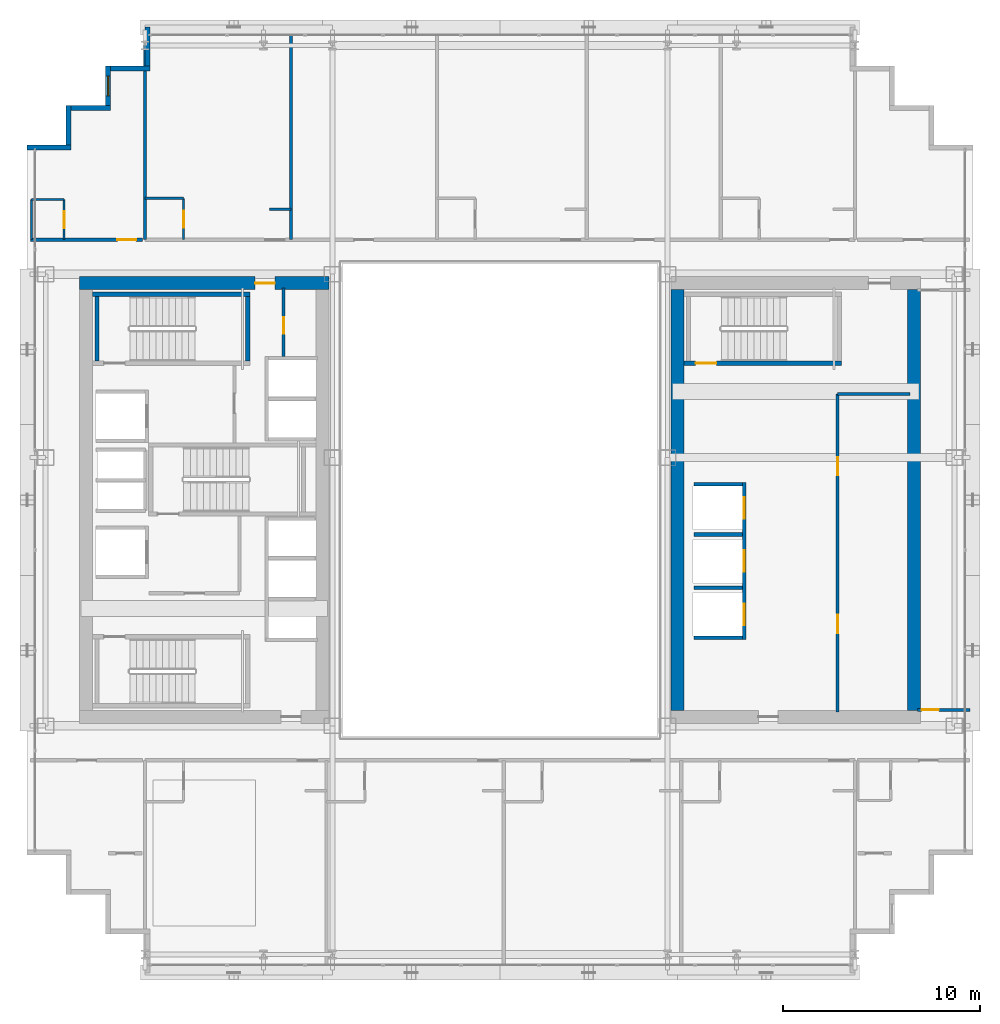
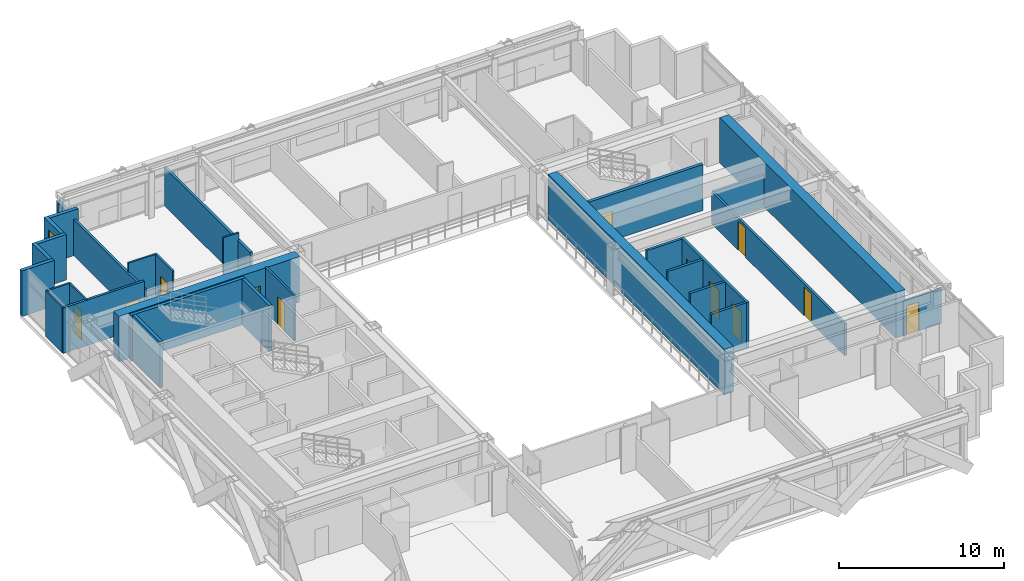
# One storey, part 29 of 34: 31 walls, 12 doors, 1 window, 13 openings.
"""IFC4 building model written with IfcOpenShell, lengths in metres."""

from ifc_helpers import new_model, si_unit, direction, frame, frame_2d, origin, place, context, subcontext, project, spatial, rectangle, extrude, source, transform, mapped, material, layer, layer_set, type_object, element, fill, save


model = new_model("IFC4")

# Units and contexts
model_context = context("Model", 3, precision=1e-05, world=origin(), true_north=direction((0.0, 1.0)))
body_context = subcontext(model_context, "Body", "Model", "MODEL_VIEW")
ifc_project = project(units=[si_unit("LENGTHUNIT", "METRE"), si_unit("AREAUNIT", "SQUARE_METRE"), si_unit("VOLUMEUNIT", "CUBIC_METRE"), si_unit("PLANEANGLEUNIT", "RADIAN"), si_unit("MASSUNIT", "GRAM", prefix="KILO")], contexts=[model_context])

# Site, building, storey
site_placement = place(None, origin())
site = spatial("IfcSite", under=ifc_project, at=site_placement, CompositionType="ELEMENT")
building_placement = place(site_placement, origin())
building = spatial("IfcBuilding", under=site, at=building_placement, Name="Ocotamira Hotel", CompositionType="ELEMENT")
storey_placement = place(building_placement, frame((0.0, 0.0, 111.60009765625)))
storey = spatial("IfcBuildingStorey", under=building, at=storey_placement, Name="L27", CompositionType="ELEMENT", Elevation=111.60009765625)

# Wall, opening, door
ifc_material_1 = material(Name="Concrete C60/75", Category="concrete")
ifc_layer_1 = layer(ifc_material_1, 0.64990234375)
ifc_layer_set_1 = layer_set([ifc_layer_1], Name="Concrete C60/75")
wall_type_1 = type_object("IfcWallType", Name="WL-CORE-650", PredefinedType="SHEAR", material=ifc_layer_set_1)
wall_1_placement = place(storey_placement, frame((10.675048828125, 37.0, 0.0), z_axis=(0.0, 0.0, 1.0), x_axis=(1.0, 0.0, 0.0)))
wall_1 = element("IfcWall", 1, at=wall_1_placement, inside=storey, type_object=wall_type_1, Name="L27 Shear Core Wall WCORE-N", PredefinedType="SHEAR", context=body_context, shape_type="SweptSolid", body=[
    extrude(rectangle(XDim=12.64990234375, YDim=0.64990234375, at=frame_2d((6.324951171875, 0.0))), origin(), (0.0, 0.0, 1.0), 3.35986328125),
])
opening_1_placement = place(wall_1_placement, frame((8.905029296875, 0.0, 0.0)))
opening_1 = element("IfcOpeningElement", 2, at=opening_1_placement, cuts=wall_1, Name="Opening D-FR2", PredefinedType="OPENING", context=body_context, shape_type="SweptSolid", body=[
    extrude(rectangle(XDim=1.0, YDim=2.14990234375, at=frame_2d((0.5, 1.074951171875))), frame((0.0, 0.3349609375, 0.0), z_axis=(0.0, -1.0, 0.0), x_axis=(1.0, 0.0, 0.0)), (0.0, 0.0, 1.0), 0.669921875),
])
ifc_material_2 = material(Name="Fire-rated acoustic timber-veneer door", Category="wood")
door_type_1 = type_object("IfcDoorType", Name="DR-FIRE-1000", OperationType="NOTDEFINED", PredefinedType="DOOR", material=ifc_material_2)
shared_shape_1 = source(origin(), body_context, "Body", "SweptSolid", [
    extrude(rectangle(XDim=1.0, YDim=2.14990234375, at=frame_2d((0.5, 1.074951171875))), frame((0.0, 0.02490234375, 0.0), z_axis=(0.0, -1.0, 0.0), x_axis=(1.0, 0.0, 0.0)), (0.0, 0.0, 1.0), 0.050048828125),
])
door_1_placement = place(opening_1_placement, origin())
door_1 = element("IfcDoor", 3, at=door_1_placement, inside=storey, type_object=door_type_1, Name="L27 Door ID-L27-WLOB-N-D [ID-L27-WLOB-N-D]", OperationType="SINGLE_SWING_RIGHT", OverallHeight=2.14990234375, OverallWidth=1.0, PredefinedType="DOOR", context=body_context, shape_type="MappedRepresentation", body=[
    mapped(shared_shape_1, transform((0.0, 0.0, 0.0), scale=1.0)),
])
fill(opening_1, door_1)

# Walls
for number, where, z_axis, x_axis, name in (
    (4, (41.0, 15.324951171875, 0.0), (0.0, 0.0, 1.0), (0.0, 1.0, 0.0), "L27 Shear Core Wall ECORE-W"),
    (5, (53.0, 15.324951171875, 0.0), (0.0, 0.0, 1.0), (0.0, 1.0, 0.0), "L27 Shear Core Wall ECORE-E"),
):
    element("IfcWall", number, at=place(storey_placement, frame(where, z_axis=z_axis, x_axis=x_axis)), inside=storey, type_object=wall_type_1, Name=name, PredefinedType="SHEAR", context=body_context, shape_type="SweptSolid", body=[
        extrude(rectangle(XDim=21.35009765625, YDim=0.64990234375, at=frame_2d((10.675048828125, 0.0))), origin(), (0.0, 0.0, 1.0), 3.35986328125),
    ])
ifc_material_3 = material(Name="Precast concrete C45/55", Category="concrete")
ifc_layer_2 = layer(ifc_material_3, 0.25)
ifc_layer_set_2 = layer_set([ifc_layer_2], Name="Precast concrete C45/55")
wall_type_2 = type_object("IfcWallType", Name="WL-EXT-SER-250", PredefinedType="SOLIDWALL", material=ifc_layer_set_2)
wall_2_placement = place(storey_placement, frame((14.125, 50.0, 0.0), z_axis=(0.0, 0.0, 1.0), x_axis=(0.0, -1.0, 0.0)))
element("IfcWall", 6, at=wall_2_placement, inside=storey, type_object=wall_type_2, Name="L27 Serrated Corner Wall 13", PredefinedType="SOLIDWALL", context=body_context, shape_type="SweptSolid", body=[
    extrude(rectangle(XDim=2.0, YDim=0.25, at=frame_2d((1.0, 0.0))), origin(), (0.0, 0.0, 1.0), 2.6669921875),
])
wall_3_placement = place(storey_placement, frame((14.25, 47.875, 0.0), z_axis=(0.0, 0.0, 1.0), x_axis=(-1.0, 0.0, 0.0)))
element("IfcWall", 7, at=wall_3_placement, inside=storey, type_object=wall_type_2, Name="L27 Serrated Corner Wall 14", PredefinedType="SOLIDWALL", context=body_context, shape_type="SweptSolid", body=[
    extrude(rectangle(XDim=2.0, YDim=0.25, at=frame_2d((1.0, 0.0))), origin(), (0.0, 0.0, 1.0), 3.35986328125),
])

# Wall, opening, window
wall_4_placement = place(storey_placement, frame((12.125, 48.0, 0.0), z_axis=(0.0, 0.0, 1.0), x_axis=(0.0, -1.0, 0.0)))
wall_4 = element("IfcWall", 8, at=wall_4_placement, inside=storey, type_object=wall_type_2, Name="L27 Serrated Corner Wall 15", PredefinedType="SOLIDWALL", context=body_context, shape_type="SweptSolid", body=[
    extrude(rectangle(XDim=2.0, YDim=0.25, at=frame_2d((1.0, 0.0))), origin(), (0.0, 0.0, 1.0), 3.35986328125),
])
opening_2_placement = place(wall_4_placement, frame((0.5, 0.0, 0.85009765625)))
opening_2 = element("IfcOpeningElement", 9, at=opening_2_placement, cuts=wall_4, Name="Opening WN-2", PredefinedType="OPENING", context=body_context, shape_type="SweptSolid", body=[
    extrude(rectangle(XDim=1.0, YDim=1.89990234375, at=frame_2d((0.5, 0.949951171875))), frame((0.0, 0.135009765625, 0.0), z_axis=(0.0, -1.0, 0.0), x_axis=(1.0, 0.0, 0.0)), (0.0, 0.0, 1.0), 0.27001953125),
])
ifc_material_4 = material(Name="Double-silver low-E solar glass", Category="glass")
window_type = type_object("IfcWindowType", Name="WIN-SER-1100", PartitioningType="SINGLE_PANEL", PredefinedType="WINDOW", material=ifc_material_4)
shared_shape_2 = source(origin(), body_context, "Body", "SweptSolid", [
    extrude(rectangle(XDim=1.0, YDim=1.89990234375, at=frame_2d((0.5, 0.949951171875))), frame((0.0, 0.030029296875, 0.0), z_axis=(0.0, -1.0, 0.0), x_axis=(1.0, 0.0, 0.0)), (0.0, 0.0, 1.0), 0.06005859375),
])
window_placement = place(opening_2_placement, origin())
window = element("IfcWindow", 10, at=window_placement, inside=storey, type_object=window_type, Name="L27 Serrated Corner Window 15", OverallHeight=1.89990234375, OverallWidth=1.0, PartitioningType="SINGLE_PANEL", PredefinedType="WINDOW", context=body_context, shape_type="MappedRepresentation", body=[
    mapped(shared_shape_2, transform((0.0, 0.0, 0.0), scale=1.0)),
])
fill(opening_2, window)

# Walls
for number, where, z_axis, x_axis, name in (
    (11, (12.25, 45.875, 0.0), (0.0, 0.0, 1.0), (-1.0, 0.0, 0.0), "L27 Serrated Corner Wall 16"),
    (12, (10.125, 46.0, 0.0), (0.0, 0.0, 1.0), (0.0, -1.0, 0.0), "L27 Serrated Corner Wall 17"),
):
    element("IfcWall", number, at=place(storey_placement, frame(where, z_axis=z_axis, x_axis=x_axis)), inside=storey, type_object=wall_type_2, Name=name, PredefinedType="SOLIDWALL", context=body_context, shape_type="SweptSolid", body=[
        extrude(rectangle(XDim=2.0, YDim=0.25, at=frame_2d((1.0, 0.0))), origin(), (0.0, 0.0, 1.0), 3.35986328125),
    ])
wall_5_placement = place(storey_placement, frame((10.25, 43.875, 0.0), z_axis=(0.0, 0.0, 1.0), x_axis=(-1.0, 0.0, 0.0)))
element("IfcWall", 13, at=wall_5_placement, inside=storey, type_object=wall_type_2, Name="L27 Serrated Corner Wall 18", PredefinedType="SOLIDWALL", context=body_context, shape_type="SweptSolid", body=[
    extrude(rectangle(XDim=2.25, YDim=0.25, at=frame_2d((1.125, 0.0))), origin(), (0.0, 0.0, 1.0), 3.35986328125),
])
ifc_material_5 = material(Name="Acoustic double-layer fire gypsum board partition", Category="gypsum")
ifc_layer_3 = layer(ifc_material_5, 0.159912109375)
ifc_layer_set_3 = layer_set([ifc_layer_3], Name="Acoustic double-layer fire gypsum board partition")
wall_type_3 = type_object("IfcWallType", Name="WL-FIRE-160", PredefinedType="PARTITIONING", material=ifc_layer_set_3)
wall_6_placement = place(storey_placement, frame((49.1201171875, 31.3798828125, 0.0), z_axis=(0.0, 0.0, 1.0), x_axis=(1.0, 0.0, 0.0)))
element("IfcWall", 14, at=wall_6_placement, inside=storey, type_object=wall_type_3, Name="L27 Interior Wall PW-L27-EC-FLOW-N", PredefinedType="PARTITIONING", context=body_context, shape_type="SweptSolid", body=[
    extrude(rectangle(XDim=3.679931640625, YDim=0.159912109375, at=frame_2d((1.83984375, 0.0))), origin(), (0.0, 0.0, 1.0), 2.35986328125),
])

# Wall, openings, doors
wall_7_placement = place(storey_placement, frame((49.1201171875, 15.25, 0.0), z_axis=(0.0, 0.0, 1.0), x_axis=(0.0, 1.0, 0.0)))
wall_7 = element("IfcWall", 15, at=wall_7_placement, inside=storey, type_object=wall_type_3, Name="L27 Interior Wall PW-L27-EC-FLOW-W", PredefinedType="PARTITIONING", context=body_context, shape_type="SweptSolid", body=[
    extrude(rectangle(XDim=16.1298828125, YDim=0.159912109375, at=frame_2d((8.06494140625, 0.0))), origin(), (0.0, 0.0, 1.0), 2.35986328125),
])
opening_3_placement = place(wall_7_placement, frame((4.0, 0.0, 0.0)))
opening_3 = element("IfcOpeningElement", 16, at=opening_3_placement, cuts=wall_7, Name="Opening D-SV3", PredefinedType="OPENING", context=body_context, shape_type="SweptSolid", body=[
    extrude(rectangle(XDim=0.919921875, YDim=2.14990234375, at=frame_2d((0.4599609375, 1.074951171875))), frame((0.0, 0.08984375, 0.0), z_axis=(0.0, -1.0, 0.0), x_axis=(1.0, 0.0, 0.0)), (0.0, 0.0, 1.0), 0.179931640625),
])
opening_4_placement = place(wall_7_placement, frame((12.0, 0.0, 0.0)))
opening_4 = element("IfcOpeningElement", 17, at=opening_4_placement, cuts=wall_7, Name="Opening D-SV3", PredefinedType="OPENING", context=body_context, shape_type="SweptSolid", body=[
    extrude(rectangle(XDim=0.919921875, YDim=2.14990234375, at=frame_2d((0.4599609375, 1.074951171875))), frame((0.0, 0.08984375, 0.0), z_axis=(0.0, -1.0, 0.0), x_axis=(1.0, 0.0, 0.0)), (0.0, 0.0, 1.0), 0.179931640625),
])
ifc_material_6 = material(Name="Fire-rated walnut hospitality door", Category="wood")
door_type_2 = type_object("IfcDoorType", Name="DR-SERV-920", OperationType="NOTDEFINED", PredefinedType="DOOR", material=ifc_material_6)
shared_shape_3 = source(origin(), body_context, "Body", "SweptSolid", [
    extrude(rectangle(XDim=0.919921875, YDim=2.14990234375, at=frame_2d((0.4599609375, 1.074951171875))), frame((0.0, 0.02490234375, 0.0), z_axis=(0.0, -1.0, 0.0), x_axis=(1.0, 0.0, 0.0)), (0.0, 0.0, 1.0), 0.050048828125),
])
door_2_placement = place(opening_3_placement, origin())
door_2 = element("IfcDoor", 18, at=door_2_placement, inside=storey, type_object=door_type_2, Name="L27 Door ID-L27-EC-FLOW-D1 [ID-L27-EC-FLOW-D1]", OperationType="SINGLE_SWING_LEFT", OverallHeight=2.14990234375, OverallWidth=0.919921875, PredefinedType="DOOR", context=body_context, shape_type="MappedRepresentation", body=[
    mapped(shared_shape_3, transform((0.0, 0.0, 0.0), scale=1.0)),
])
fill(opening_3, door_2)
door_3_placement = place(opening_4_placement, origin())
door_3 = element("IfcDoor", 19, at=door_3_placement, inside=storey, type_object=door_type_2, Name="L27 Door ID-L27-EC-FLOW-D2 [ID-L27-EC-FLOW-D2]", OperationType="SINGLE_SWING_RIGHT", OverallHeight=2.14990234375, OverallWidth=0.919921875, PredefinedType="DOOR", context=body_context, shape_type="MappedRepresentation", body=[
    mapped(shared_shape_3, transform((0.0, 0.0, 0.0), scale=1.0)),
])
fill(opening_4, door_3)

# Wall, opening, door
wall_8_placement = place(storey_placement, frame((8.199951171875, 39.199951171875, 0.0), z_axis=(0.0, 0.0, 1.0), x_axis=(1.0, 0.0, 0.0)))
wall_8 = element("IfcWall", 20, at=wall_8_placement, inside=storey, type_object=wall_type_3, Name="L27 Interior Wall PW-L27-Z2B-CNW-CW", PredefinedType="PARTITIONING", context=body_context, shape_type="SweptSolid", body=[
    extrude(rectangle(XDim=5.679931640625, YDim=0.159912109375, at=frame_2d((2.83984375, 0.0))), origin(), (0.0, 0.0, 1.0), 3.35986328125),
])
opening_5_placement = place(wall_8_placement, frame((4.39990234375, 0.0, 0.0)))
opening_5 = element("IfcOpeningElement", 21, at=opening_5_placement, cuts=wall_8, Name="Opening D-GR1", PredefinedType="OPENING", context=body_context, shape_type="SweptSolid", body=[
    extrude(rectangle(XDim=0.93994140625, YDim=2.14990234375, at=frame_2d((0.469970703125, 1.074951171875))), frame((0.0, 0.08984375, 0.0), z_axis=(0.0, -1.0, 0.0), x_axis=(1.0, 0.0, 0.0)), (0.0, 0.0, 1.0), 0.179931640625),
])
ifc_material_7 = material(Name="Solid-core walnut suite entrance fire door", Category="wood")
door_type_3 = type_object("IfcDoorType", Name="DR-GUEST-940", OperationType="NOTDEFINED", PredefinedType="DOOR", material=ifc_material_7)
shared_shape_4 = source(origin(), body_context, "Body", "SweptSolid", [
    extrude(rectangle(XDim=0.93994140625, YDim=2.14990234375, at=frame_2d((0.469970703125, 1.074951171875))), frame((0.0, 0.02490234375, 0.0), z_axis=(0.0, -1.0, 0.0), x_axis=(1.0, 0.0, 0.0)), (0.0, 0.0, 1.0), 0.050048828125),
])
door_4_placement = place(opening_5_placement, origin())
door_4 = element("IfcDoor", 22, at=door_4_placement, inside=storey, type_object=door_type_3, Name="L27 Door ID-L27-Z2B-CNW-CD [ID-L27-Z2B-CNW-CD]", OperationType="SINGLE_SWING_RIGHT", OverallHeight=2.14990234375, OverallWidth=0.93994140625, PredefinedType="DOOR", context=body_context, shape_type="MappedRepresentation", body=[
    mapped(shared_shape_4, transform((0.0, 0.0, 0.0), scale=1.0)),
])
fill(opening_5, door_4)

ifc_material_8 = material(Name="Moisture-resistant en-suite tile and gypsum partition", Category="gypsum")
ifc_layer_4 = layer(ifc_material_8, 0.1201171875)
ifc_layer_set_4 = layer_set([ifc_layer_4], Name="Moisture-resistant en-suite tile and gypsum partition")
wall_type_4 = type_object("IfcWallType", Name="WL-PART-120", PredefinedType="PARTITIONING", material=ifc_layer_set_4)
wall_9_placement = place(storey_placement, frame((9.889892578125, 39.199951171875, 0.0), z_axis=(0.0, 0.0, 1.0), x_axis=(0.0, 1.0, 0.0)))
wall_9 = element("IfcWall", 23, at=wall_9_placement, inside=storey, type_object=wall_type_4, Name="L27 Interior Wall PW-L27-Z2B-CNW-BE", PredefinedType="PARTITIONING", context=body_context, shape_type="SweptSolid", body=[
    extrude(rectangle(XDim=2.0400390625, YDim=0.1201171875, at=frame_2d((1.02001953125, 0.0))), origin(), (0.0, 0.0, 1.0), 3.35986328125),
])
opening_6_placement = place(wall_9_placement, frame((0.590087890625, 0.0, 0.0)))
opening_6 = element("IfcOpeningElement", 24, at=opening_6_placement, cuts=wall_9, Name="Opening D-BA1", PredefinedType="OPENING", context=body_context, shape_type="SweptSolid", body=[
    extrude(rectangle(XDim=0.860107421875, YDim=2.10009765625, at=frame_2d((0.43017578125, 1.050048828125))), frame((0.0, 0.070068359375, 0.0), z_axis=(0.0, -1.0, 0.0), x_axis=(1.0, 0.0, 0.0)), (0.0, 0.0, 1.0), 0.14013671875),
])
ifc_material_9 = material(Name="Moisture-sealed en-suite timber door", Category="wood")
door_type_4 = type_object("IfcDoorType", Name="DR-BATH-860", OperationType="NOTDEFINED", PredefinedType="DOOR", material=ifc_material_9)
shared_shape_5 = source(origin(), body_context, "Body", "SweptSolid", [
    extrude(rectangle(XDim=0.860107421875, YDim=2.10009765625, at=frame_2d((0.43017578125, 1.050048828125))), frame((0.0, 0.02490234375, 0.0), z_axis=(0.0, -1.0, 0.0), x_axis=(1.0, 0.0, 0.0)), (0.0, 0.0, 1.0), 0.050048828125),
])
door_5_placement = place(opening_6_placement, origin())
door_5 = element("IfcDoor", 25, at=door_5_placement, inside=storey, type_object=door_type_4, Name="L27 Door ID-L27-Z2B-CNW-BD [ID-L27-Z2B-CNW-BD]", OperationType="SINGLE_SWING_LEFT", OverallHeight=2.10009765625, OverallWidth=0.860107421875, PredefinedType="DOOR", context=body_context, shape_type="MappedRepresentation", body=[
    mapped(shared_shape_5, transform((0.0, 0.0, 0.0), scale=1.0)),
])
fill(opening_6, door_5)

# Walls
wall_10_placement = place(storey_placement, frame((8.239990234375, 39.199951171875, 0.0), z_axis=(0.0, 0.0, 1.0), x_axis=(0.0, 1.0, 0.0)))
element("IfcWall", 26, at=wall_10_placement, inside=storey, type_object=wall_type_4, Name="L27 Interior Wall PW-L27-Z2B-CNW-BW", PredefinedType="PARTITIONING", context=body_context, shape_type="SweptSolid", body=[
    extrude(rectangle(XDim=2.0400390625, YDim=0.1201171875, at=frame_2d((1.02001953125, 0.0))), origin(), (0.0, 0.0, 1.0), 3.35986328125),
])
wall_11_placement = place(storey_placement, frame((8.239990234375, 41.239990234375, 0.0), z_axis=(0.0, 0.0, 1.0), x_axis=(1.0, 0.0, 0.0)))
element("IfcWall", 27, at=wall_11_placement, inside=storey, type_object=wall_type_4, Name="L27 Interior Wall PW-L27-Z2B-CNW-BH", PredefinedType="PARTITIONING", context=body_context, shape_type="SweptSolid", body=[
    extrude(rectangle(XDim=1.64990234375, YDim=0.1201171875, at=frame_2d((0.824951171875, 0.0))), origin(), (0.0, 0.0, 1.0), 3.35986328125),
])

# Wall, opening, door
wall_12_placement = place(storey_placement, frame((15.949951171875, 39.199951171875, 0.0), z_axis=(0.0, 0.0, 1.0), x_axis=(0.0, 1.0, 0.0)))
wall_12 = element("IfcWall", 28, at=wall_12_placement, inside=storey, type_object=wall_type_4, Name="L27 Interior Wall PW-L27-Z2BN-BAE1", PredefinedType="PARTITIONING", context=body_context, shape_type="SweptSolid", body=[
    extrude(rectangle(XDim=2.10009765625, YDim=0.1201171875, at=frame_2d((1.050048828125, 0.0))), origin(), (0.0, 0.0, 1.0), 3.35986328125),
])
opening_7_placement = place(wall_12_placement, frame((0.6201171875, 0.0, 0.0)))
opening_7 = element("IfcOpeningElement", 29, at=opening_7_placement, cuts=wall_12, Name="Opening D-BA1", PredefinedType="OPENING", context=body_context, shape_type="SweptSolid", body=[
    extrude(rectangle(XDim=0.860107421875, YDim=2.10009765625, at=frame_2d((0.43017578125, 1.050048828125))), frame((0.0, 0.070068359375, 0.0), z_axis=(0.0, -1.0, 0.0), x_axis=(1.0, 0.0, 0.0)), (0.0, 0.0, 1.0), 0.14013671875),
])
door_6_placement = place(opening_7_placement, origin())
door_6 = element("IfcDoor", 30, at=door_6_placement, inside=storey, type_object=door_type_4, Name="L27 Door ID-L27-Z2BN-BAD1 [ID-L27-Z2BN-BAD1]", OperationType="SINGLE_SWING_RIGHT", OverallHeight=2.10009765625, OverallWidth=0.860107421875, PredefinedType="DOOR", context=body_context, shape_type="MappedRepresentation", body=[
    mapped(shared_shape_5, transform((0.0, 0.0, 0.0), scale=1.0)),
])
fill(opening_7, door_6)

# Walls
wall_13_placement = place(storey_placement, frame((14.0, 41.300048828125, 0.0), z_axis=(0.0, 0.0, 1.0), x_axis=(1.0, 0.0, 0.0)))
element("IfcWall", 31, at=wall_13_placement, inside=storey, type_object=wall_type_4, Name="L27 Interior Wall PW-L27-Z2BN-BAN1", PredefinedType="PARTITIONING", context=body_context, shape_type="SweptSolid", body=[
    extrude(rectangle(XDim=1.949951171875, YDim=0.1201171875, at=frame_2d((0.97509765625, 0.0))), origin(), (0.0, 0.0, 1.0), 3.35986328125),
])
wall_14_placement = place(storey_placement, frame((20.300048828125, 40.75, 0.0), z_axis=(0.0, 0.0, 1.0), x_axis=(1.0, 0.0, 0.0)))
element("IfcWall", 32, at=wall_14_placement, inside=storey, type_object=wall_type_4, Name="L27 Interior Wall PW-L27-Z2BN-DRN1", PredefinedType="PARTITIONING", context=body_context, shape_type="SweptSolid", body=[
    extrude(rectangle(XDim=1.099853515625, YDim=0.1201171875, at=frame_2d((0.5498046875, 0.0))), origin(), (0.0, 0.0, 1.0), 3.35986328125),
])

# Wall, opening, door
ifc_material_10 = material(Name="Acoustic hospitality gypsum board partition", Category="gypsum")
ifc_layer_5 = layer(ifc_material_10, 0.14208984375)
ifc_layer_set_5 = layer_set([ifc_layer_5], Name="Acoustic hospitality gypsum board partition")
wall_type_5 = type_object("IfcWallType", Name="WL-PART-142", PredefinedType="PARTITIONING", material=ifc_layer_set_5)
wall_15_placement = place(storey_placement, frame((21.02001953125, 33.280029296875, 0.0), z_axis=(0.0, 0.0, 1.0), x_axis=(0.0, 1.0, 0.0)))
wall_15 = element("IfcWall", 33, at=wall_15_placement, inside=storey, type_object=wall_type_5, Name="L27 Interior Wall PW-L27-WC-NE-W", PredefinedType="PARTITIONING", context=body_context, shape_type="SweptSolid", body=[
    extrude(rectangle(XDim=3.469970703125, YDim=0.14208984375, at=frame_2d((1.73486328125, 0.0))), origin(), (0.0, 0.0, 1.0), 3.35986328125),
])
opening_8_placement = place(wall_15_placement, frame((1.14990234375, 0.0, 0.0)))
opening_8 = element("IfcOpeningElement", 34, at=opening_8_placement, cuts=wall_15, Name="Opening D-SV1", PredefinedType="OPENING", context=body_context, shape_type="SweptSolid", body=[
    extrude(rectangle(XDim=0.840087890625, YDim=2.10009765625, at=frame_2d((0.419921875, 1.050048828125))), frame((0.0, 0.0810546875, 0.0), z_axis=(0.0, -1.0, 0.0), x_axis=(1.0, 0.0, 0.0)), (0.0, 0.0, 1.0), 0.162109375),
])
ifc_material_11 = material(Name="Fire-rated painted steel service door", Category="steel")
door_type_5 = type_object("IfcDoorType", Name="DR-SERV-840", OperationType="NOTDEFINED", PredefinedType="DOOR", material=ifc_material_11)
shared_shape_6 = source(origin(), body_context, "Body", "SweptSolid", [
    extrude(rectangle(XDim=0.840087890625, YDim=2.10009765625, at=frame_2d((0.419921875, 1.050048828125))), frame((0.0, 0.02490234375, 0.0), z_axis=(0.0, -1.0, 0.0), x_axis=(1.0, 0.0, 0.0)), (0.0, 0.0, 1.0), 0.050048828125),
])
door_7_placement = place(opening_8_placement, origin())
door_7 = element("IfcDoor", 35, at=door_7_placement, inside=storey, type_object=door_type_5, Name="L27 Door ID-L27-WC-NE-D [ID-L27-WC-NE-D]", OperationType="SINGLE_SWING_LEFT", OverallHeight=2.10009765625, OverallWidth=0.840087890625, PredefinedType="DOOR", context=body_context, shape_type="MappedRepresentation", body=[
    mapped(shared_shape_6, transform((0.0, 0.0, 0.0), scale=1.0)),
])
fill(opening_8, door_7)

ifc_layer_6 = layer(ifc_material_10, 0.14990234375)
ifc_layer_set_6 = layer_set([ifc_layer_6], Name="Acoustic hospitality gypsum board partition")
wall_type_6 = type_object("IfcWallType", Name="WL-PART-150", PredefinedType="PARTITIONING", material=ifc_layer_set_6)
wall_16_placement = place(storey_placement, frame((53.179931640625, 15.360107421875, 0.0), z_axis=(0.0, 0.0, 1.0), x_axis=(1.0, 0.0, 0.0)))
wall_16 = element("IfcWall", 36, at=wall_16_placement, inside=storey, type_object=wall_type_6, Name="L27 Interior Wall PW-L27-Z2B-EF-WS", PredefinedType="PARTITIONING", context=body_context, shape_type="SweptSolid", body=[
    extrude(rectangle(XDim=2.66015625, YDim=0.14990234375, at=frame_2d((1.330078125, 0.0))), origin(), (0.0, 0.0, 1.0), 2.580810546875),
])
opening_9_placement = place(wall_16_placement, frame((0.199951171875, 0.0, 0.0)))
opening_9 = element("IfcOpeningElement", 37, at=opening_9_placement, cuts=wall_16, Name="Opening D-SV2", PredefinedType="OPENING", context=body_context, shape_type="SweptSolid", body=[
    extrude(rectangle(XDim=0.8798828125, YDim=2.14990234375, at=frame_2d((0.43994140625, 1.074951171875))), frame((0.0, 0.0849609375, 0.0), z_axis=(0.0, -1.0, 0.0), x_axis=(1.0, 0.0, 0.0)), (0.0, 0.0, 1.0), 0.169921875),
])
door_type_6 = type_object("IfcDoorType", Name="DR-SERV-880", OperationType="NOTDEFINED", PredefinedType="DOOR", material=ifc_material_11)
shared_shape_7 = source(origin(), body_context, "Body", "SweptSolid", [
    extrude(rectangle(XDim=0.8798828125, YDim=2.14990234375, at=frame_2d((0.43994140625, 1.074951171875))), frame((0.0, 0.02490234375, 0.0), z_axis=(0.0, -1.0, 0.0), x_axis=(1.0, 0.0, 0.0)), (0.0, 0.0, 1.0), 0.050048828125),
])
door_8_placement = place(opening_9_placement, origin())
door_8 = element("IfcDoor", 38, at=door_8_placement, inside=storey, type_object=door_type_6, Name="L27 Door ID-L27-Z2B-EF-DS [ID-L27-Z2B-EF-DS]", OperationType="SINGLE_SWING_RIGHT", OverallHeight=2.14990234375, OverallWidth=0.8798828125, PredefinedType="DOOR", context=body_context, shape_type="MappedRepresentation", body=[
    mapped(shared_shape_7, transform((0.0, 0.0, 0.0), scale=1.0)),
])
fill(opening_9, door_8)

# Walls
ifc_material_12 = material(Name="Acoustic double-stud hospitality gypsum partition", Category="gypsum")
ifc_layer_7 = layer(ifc_material_12, 0.159912109375)
ifc_layer_set_7 = layer_set([ifc_layer_7], Name="Acoustic double-stud hospitality gypsum partition")
wall_type_7 = type_object("IfcWallType", Name="WL-PART-160", PredefinedType="PARTITIONING", material=ifc_layer_set_7)
wall_17_placement = place(storey_placement, frame((14.0, 39.199951171875, 0.0), z_axis=(0.0, 0.0, 1.0), x_axis=(0.0, 1.0, 0.0)))
element("IfcWall", 39, at=wall_17_placement, inside=storey, type_object=wall_type_7, Name="L27 Interior Wall PW-L27-Z2BN-PW0", PredefinedType="PARTITIONING", context=body_context, shape_type="SweptSolid", body=[
    extrude(rectangle(XDim=10.43994140625, YDim=0.159912109375, at=frame_2d((5.219970703125, 0.0))), origin(), (0.0, 0.0, 1.0), 2.6669921875),
])
ifc_material_13 = material(Name="Double-stud suite party gypsum partition", Category="gypsum")
ifc_layer_8 = layer(ifc_material_13, 0.175048828125)
ifc_layer_set_8 = layer_set([ifc_layer_8], Name="Double-stud suite party gypsum partition")
wall_type_8 = type_object("IfcWallType", Name="WL-PART-175", PredefinedType="PARTITIONING", material=ifc_layer_set_8)
wall_18_placement = place(storey_placement, frame((21.39990234375, 39.199951171875, 0.0), z_axis=(0.0, 0.0, 1.0), x_axis=(0.0, 1.0, 0.0)))
element("IfcWall", 40, at=wall_18_placement, inside=storey, type_object=wall_type_8, Name="L27 Interior Wall PW-L27-Z2BN-PW1", PredefinedType="PARTITIONING", context=body_context, shape_type="SweptSolid", body=[
    extrude(rectangle(XDim=10.43994140625, YDim=0.175048828125, at=frame_2d((5.219970703125, 0.0))), origin(), (0.0, 0.0, 1.0), 2.822998046875),
])

# Wall, openings, doors
ifc_material_14 = material(Name="Fire-rated gypsum shaftliner board assembly", Category="gypsum")
ifc_layer_9 = layer(ifc_material_14, 0.179931640625)
ifc_layer_set_9 = layer_set([ifc_layer_9], Name="Fire-rated gypsum shaftliner board assembly")
wall_type_9 = type_object("IfcWallType", Name="WL-SHAFT-180", PredefinedType="SOLIDWALL", material=ifc_layer_set_9)
wall_19_placement = place(storey_placement, frame((44.389892578125, 18.919921875, 0.0), z_axis=(0.0, 0.0, 1.0), x_axis=(0.0, 1.0, 0.0)))
wall_19 = element("IfcWall", 41, at=wall_19_placement, inside=storey, type_object=wall_type_9, Name="L27 Interior Wall PW-L27-LFW-BANK-mid-F", PredefinedType="SOLIDWALL", context=body_context, shape_type="SweptSolid", body=[
    extrude(rectangle(XDim=7.9599609375, YDim=0.179931640625, at=frame_2d((3.97998046875, 0.0))), origin(), (0.0, 0.0, 1.0), 3.35986328125),
])
opening_10_placement = place(wall_19_placement, frame((0.72998046875, 0.0, 0.0)))
opening_10 = element("IfcOpeningElement", 42, at=opening_10_placement, cuts=wall_19, Name="Opening LD-LF-P4", PredefinedType="OPENING", context=body_context, shape_type="SweptSolid", body=[
    extrude(rectangle(XDim=1.10009765625, YDim=2.199951171875, at=frame_2d((0.550048828125, 1.10009765625))), frame((0.0, 0.10009765625, 0.0), z_axis=(0.0, -1.0, 0.0), x_axis=(1.0, 0.0, 0.0)), (0.0, 0.0, 1.0), 0.199951171875),
])
opening_11_placement = place(wall_19_placement, frame((3.429931640625, 0.0, 0.0)))
opening_11 = element("IfcOpeningElement", 43, at=opening_11_placement, cuts=wall_19, Name="Opening LD-LF-P5", PredefinedType="OPENING", context=body_context, shape_type="SweptSolid", body=[
    extrude(rectangle(XDim=1.10009765625, YDim=2.199951171875, at=frame_2d((0.550048828125, 1.10009765625))), frame((0.0, 0.10009765625, 0.0), z_axis=(0.0, -1.0, 0.0), x_axis=(1.0, 0.0, 0.0)), (0.0, 0.0, 1.0), 0.199951171875),
])
opening_12_placement = place(wall_19_placement, frame((6.1298828125, 0.0, 0.0)))
opening_12 = element("IfcOpeningElement", 44, at=opening_12_placement, cuts=wall_19, Name="Opening LD-LF-P6", PredefinedType="OPENING", context=body_context, shape_type="SweptSolid", body=[
    extrude(rectangle(XDim=1.10009765625, YDim=2.199951171875, at=frame_2d((0.550048828125, 1.10009765625))), frame((0.0, 0.10009765625, 0.0), z_axis=(0.0, -1.0, 0.0), x_axis=(1.0, 0.0, 0.0)), (0.0, 0.0, 1.0), 0.199951171875),
])
ifc_material_15 = material(Name="Brushed pale-metal stainless elevator landing door", Category="steel")
door_type_7 = type_object("IfcDoorType", Name="DR-LIFT-1100", OperationType="NOTDEFINED", PredefinedType="DOOR", material=ifc_material_15)
shared_shape_8 = source(origin(), body_context, "Body", "SweptSolid", [
    extrude(rectangle(XDim=1.10009765625, YDim=2.199951171875, at=frame_2d((0.550048828125, 1.10009765625))), frame((0.0, 0.02490234375, 0.0), z_axis=(0.0, -1.0, 0.0), x_axis=(1.0, 0.0, 0.0)), (0.0, 0.0, 1.0), 0.050048828125),
])
door_9_placement = place(opening_10_placement, origin())
door_9 = element("IfcDoor", 45, at=door_9_placement, inside=storey, type_object=door_type_7, Name="L27 Landing Door LD-LF-P4 [ID-L27-LD-LF-P4]", OperationType="DOUBLE_DOOR_SLIDING", OverallHeight=2.199951171875, OverallWidth=1.10009765625, PredefinedType="DOOR", context=body_context, shape_type="MappedRepresentation", body=[
    mapped(shared_shape_8, transform((0.0, 0.0, 0.0), scale=1.0)),
])
fill(opening_10, door_9)
door_10_placement = place(opening_11_placement, origin())
door_10 = element("IfcDoor", 46, at=door_10_placement, inside=storey, type_object=door_type_7, Name="L27 Landing Door LD-LF-P5 [ID-L27-LD-LF-P5]", OperationType="DOUBLE_DOOR_SLIDING", OverallHeight=2.199951171875, OverallWidth=1.10009765625, PredefinedType="DOOR", context=body_context, shape_type="MappedRepresentation", body=[
    mapped(shared_shape_8, transform((0.0, 0.0, 0.0), scale=1.0)),
])
fill(opening_11, door_10)
door_11_placement = place(opening_12_placement, origin())
door_11 = element("IfcDoor", 47, at=door_11_placement, inside=storey, type_object=door_type_7, Name="L27 Landing Door LD-LF-P6 [ID-L27-LD-LF-P6]", OperationType="DOUBLE_DOOR_SLIDING", OverallHeight=2.199951171875, OverallWidth=1.10009765625, PredefinedType="DOOR", context=body_context, shape_type="MappedRepresentation", body=[
    mapped(shared_shape_8, transform((0.0, 0.0, 0.0), scale=1.0)),
])
fill(opening_12, door_11)

# Walls
for number, where, z_axis, x_axis, name in (
    (48, (41.85009765625, 19.010009765625, 0.0), (0.0, 0.0, 1.0), (1.0, 0.0, 0.0), "L27 Interior Wall PW-L27-LFW-BANK-mid-S"),
    (49, (41.85009765625, 26.7900390625, 0.0), (0.0, 0.0, 1.0), (1.0, 0.0, 0.0), "L27 Interior Wall PW-L27-LFW-BANK-mid-N"),
    (50, (41.85009765625, 21.550048828125, 0.0), (0.0, 0.0, 1.0), (1.0, 0.0, 0.0), "L27 Interior Wall PW-L27-LFW-DIV-LF-P4"),
    (51, (41.85009765625, 24.25, 0.0), (0.0, 0.0, 1.0), (1.0, 0.0, 0.0), "L27 Interior Wall PW-L27-LFW-DIV-LF-P5"),
):
    element("IfcWall", number, at=place(storey_placement, frame(where, z_axis=z_axis, x_axis=x_axis)), inside=storey, type_object=wall_type_9, Name=name, PredefinedType="SOLIDWALL", context=body_context, shape_type="SweptSolid", body=[
        extrude(rectangle(XDim=2.449951171875, YDim=0.179931640625, at=frame_2d((1.22509765625, 0.0))), origin(), (0.0, 0.0, 1.0), 3.35986328125),
    ])
ifc_material_16 = material(Name="Concrete C50/60", Category="concrete")
ifc_layer_10 = layer(ifc_material_16, 0.219970703125)
ifc_layer_set_10 = layer_set([ifc_layer_10], Name="Concrete C50/60")
wall_type_10 = type_object("IfcWallType", Name="WL-STAIR-220", PredefinedType="SHEAR", material=ifc_layer_set_10)
wall_20_placement = place(storey_placement, frame((11.324951171875, 36.43994140625, 0.0), z_axis=(0.0, 0.0, 1.0), x_axis=(1.0, 0.0, 0.0)))
element("IfcWall", 52, at=wall_20_placement, inside=storey, type_object=wall_type_10, Name="L27 Stair Shaft Structural Wall ST-2-N", PredefinedType="SHEAR", context=body_context, shape_type="SweptSolid", body=[
    extrude(rectangle(XDim=7.985107421875, YDim=0.219970703125, at=frame_2d((3.99267578125, 0.0))), origin(), (0.0, 0.0, 1.0), 3.39990234375),
])
for number, where, z_axis, x_axis, name in (
    (53, (11.56005859375, 33.050048828125, 0.0), (0.0, 0.0, 1.0), (0.0, 1.0, 0.0), "L27 Stair Shaft Structural Wall ST-2-W"),
    (54, (19.199951171875, 33.050048828125, 0.0), (0.0, 0.0, 1.0), (0.0, 1.0, 0.0), "L27 Stair Shaft Structural Wall ST-2-E"),
):
    element("IfcWall", number, at=place(storey_placement, frame(where, z_axis=z_axis, x_axis=x_axis)), inside=storey, type_object=wall_type_10, Name=name, PredefinedType="SHEAR", context=body_context, shape_type="SweptSolid", body=[
        extrude(rectangle(XDim=3.280029296875, YDim=0.219970703125, at=frame_2d((1.64013671875, 0.0))), origin(), (0.0, 0.0, 1.0), 3.39990234375),
    ])

# Wall, opening, door
wall_21_placement = place(storey_placement, frame((41.324951171875, 32.93994140625, 0.0), z_axis=(0.0, 0.0, 1.0), x_axis=(1.0, 0.0, 0.0)))
wall_21 = element("IfcWall", 55, at=wall_21_placement, inside=storey, type_object=wall_type_10, Name="L27 Stair Shaft Structural Wall ST-4-S", PredefinedType="SHEAR", context=body_context, shape_type="SweptSolid", body=[
    extrude(rectangle(XDim=7.985107421875, YDim=0.219970703125, at=frame_2d((3.99267578125, 0.0))), origin(), (0.0, 0.0, 1.0), 3.39990234375),
])
opening_13_placement = place(wall_21_placement, frame((0.594970703125, 0.0, 0.0)))
opening_13 = element("IfcOpeningElement", 56, at=opening_13_placement, cuts=wall_21, Name="Opening D-ST2", PredefinedType="OPENING", context=body_context, shape_type="SweptSolid", body=[
    extrude(rectangle(XDim=1.050048828125, YDim=2.14990234375, at=frame_2d((0.52490234375, 1.074951171875))), frame((0.0, 0.1201171875, 0.0), z_axis=(0.0, -1.0, 0.0), x_axis=(1.0, 0.0, 0.0)), (0.0, 0.0, 1.0), 0.239990234375),
])
ifc_material_17 = material(Name="Insulated painted hollow-metal fire exit door", Category="steel")
door_type_8 = type_object("IfcDoorType", Name="DR-STAIR-1050", OperationType="NOTDEFINED", PredefinedType="DOOR", material=ifc_material_17)
shared_shape_9 = source(origin(), body_context, "Body", "SweptSolid", [
    extrude(rectangle(XDim=1.050048828125, YDim=2.14990234375, at=frame_2d((0.52490234375, 1.074951171875))), frame((0.0, 0.02490234375, 0.0), z_axis=(0.0, -1.0, 0.0), x_axis=(1.0, 0.0, 0.0)), (0.0, 0.0, 1.0), 0.050048828125),
])
door_12_placement = place(opening_13_placement, origin())
door_12 = element("IfcDoor", 57, at=door_12_placement, inside=storey, type_object=door_type_8, Name="L27 Door ID-L27-STD-ST-4 [ID-L27-STD-ST-4]", OperationType="SINGLE_SWING_LEFT", OverallHeight=2.14990234375, OverallWidth=1.050048828125, PredefinedType="DOOR", context=body_context, shape_type="MappedRepresentation", body=[
    mapped(shared_shape_9, transform((0.0, 0.0, 0.0), scale=1.0)),
])
fill(opening_13, door_12)

save(model, "model.ifc")
